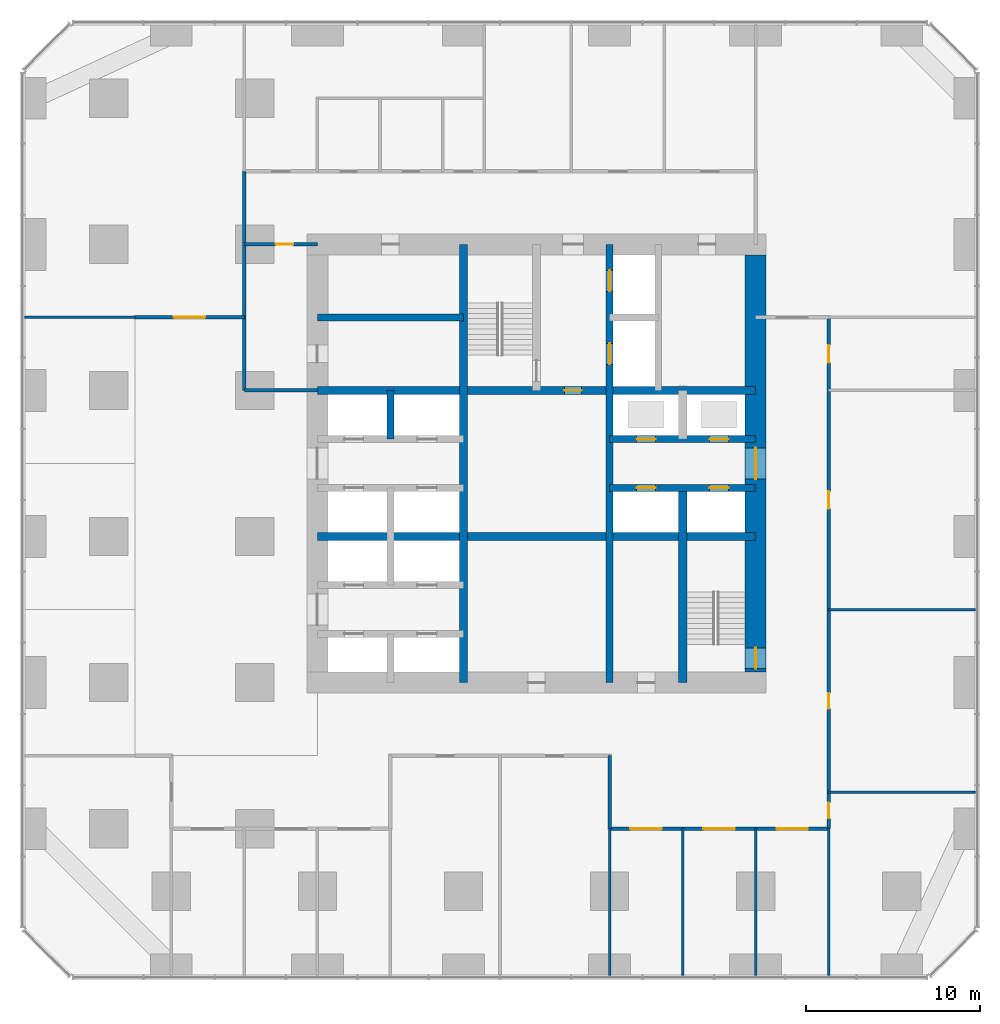
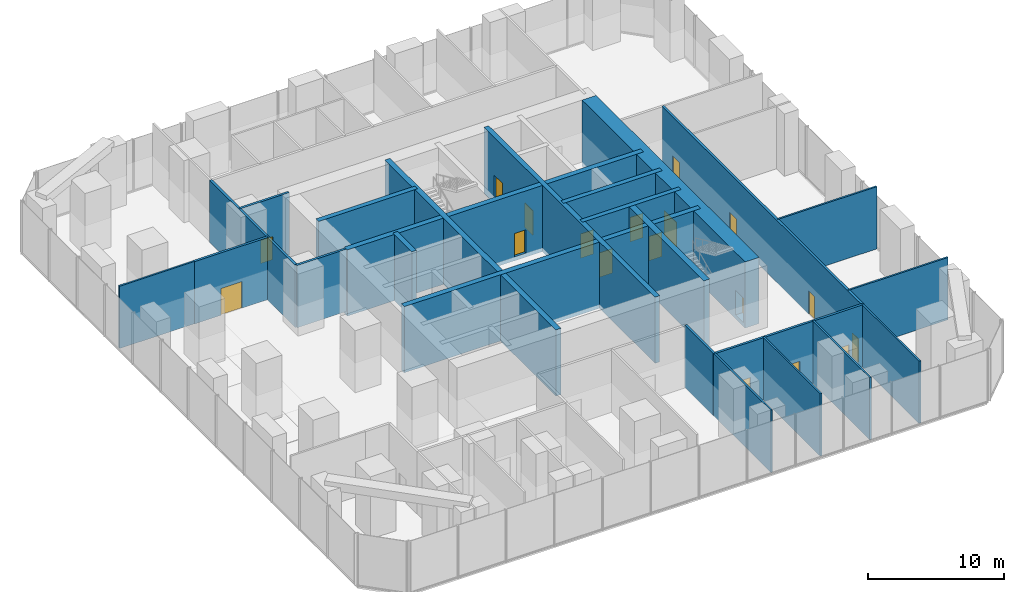
# One storey, part 8 of 13: 24 walls, 18 doors, 18 openings.
"""IFC4 building model written with IfcOpenShell, lengths in metres."""

from ifc_helpers import new_model, si_unit, direction, frame, frame_2d, origin, place, context, subcontext, project, spatial, rectangle, extrude, material, layer, layer_set, type_object, element, fill, save


model = new_model("IFC4")

# Units and contexts
model_context = context("Model", 3, precision=1e-05, world=origin(), true_north=direction((0.0, 1.0)))
body_context = subcontext(model_context, "Body", "Model", "MODEL_VIEW")
ifc_project = project(units=[si_unit("LENGTHUNIT", "METRE"), si_unit("AREAUNIT", "SQUARE_METRE"), si_unit("VOLUMEUNIT", "CUBIC_METRE"), si_unit("PLANEANGLEUNIT", "RADIAN"), si_unit("MASSUNIT", "GRAM", prefix="KILO")], contexts=[model_context])

# Site, building, storey
site_placement = place(None, origin())
site = spatial("IfcSite", under=ifc_project, at=site_placement, CompositionType="ELEMENT")
building_placement = place(site_placement, origin())
building = spatial("IfcBuilding", under=site, at=building_placement, Name="Dunama Terrace Hotel", CompositionType="ELEMENT")
storey_placement = place(building_placement, frame((0.0, 0.0, 147.60009765625)))
storey = spatial("IfcBuildingStorey", under=building, at=storey_placement, Name="L38", CompositionType="ELEMENT", Elevation=147.60009765625)

# Wall
ifc_material_1 = material(Name="Concrete C50/60", Category="concrete")
ifc_layer_1 = layer(ifc_material_1, 0.39990234375)
ifc_layer_set_1 = layer_set([ifc_layer_1], Name="Core inner wall 400")
wall_type_1 = type_object("IfcWallType", Name="Core inner wall 400", PredefinedType="SHEAR", material=ifc_layer_set_1)
wall_1_placement = place(storey_placement, frame((21.0, 30.800048828125, -0.35009765625), z_axis=(0.0, 0.0, 1.0), x_axis=(0.0, 1.0, 0.0)))
element("IfcWall", 1, at=wall_1_placement, inside=storey, type_object=wall_type_1, Name="Core inner wall 400 L38", PredefinedType="SHEAR", context=body_context, shape_type="SweptSolid", body=[
    extrude(rectangle(XDim=2.800048828125, YDim=0.39990234375, at=frame_2d((1.39990234375, 0.0))), origin(), (0.0, 0.0, 1.0), 5.949951171875),
])

# Wall, openings, doors
wall_2_placement = place(storey_placement, frame((33.60009765625, 16.800048828125, -0.35009765625), z_axis=(0.0, 0.0, 1.0), x_axis=(0.0, 1.0, 0.0)))
wall_2 = element("IfcWall", 2, at=wall_2_placement, inside=storey, type_object=wall_type_1, Name="Core inner wall 400 L38", PredefinedType="SHEAR", context=body_context, shape_type="SweptSolid", body=[
    extrude(rectangle(XDim=25.199951171875, YDim=0.39990234375, at=frame_2d((12.60009765625, 0.0))), origin(), (0.0, 0.0, 1.0), 5.949951171875),
])
opening_1_placement = place(wall_2_placement, frame((22.5, 0.0, 0.35009765625)))
opening_1 = element("IfcOpeningElement", 3, at=opening_1_placement, cuts=wall_2, Name="Opening L38-015", PredefinedType="OPENING", context=body_context, shape_type="SweptSolid", body=[
    extrude(rectangle(XDim=1.199951171875, YDim=2.199951171875, at=frame_2d((0.60009765625, 1.10009765625))), frame((0.0, 0.2099609375, 0.0), z_axis=(0.0, -1.0, 0.0), x_axis=(1.0, 0.0, 0.0)), (0.0, 0.0, 1.0), 0.419921875),
])
opening_2_placement = place(wall_2_placement, frame((18.300048828125, 0.0, 0.35009765625)))
opening_2 = element("IfcOpeningElement", 4, at=opening_2_placement, cuts=wall_2, Name="Opening L38-016", PredefinedType="OPENING", context=body_context, shape_type="SweptSolid", body=[
    extrude(rectangle(XDim=1.199951171875, YDim=2.199951171875, at=frame_2d((0.60009765625, 1.10009765625))), frame((0.0, 0.2099609375, 0.0), z_axis=(0.0, -1.0, 0.0), x_axis=(1.0, 0.0, 0.0)), (0.0, 0.0, 1.0), 0.419921875),
])
ifc_material_2 = material(Name="Stainless steel lift door", Category="steel")
door_type_1 = type_object("IfcDoorType", Name="Firefighting lift landing door 1200", OperationType="DOUBLE_DOOR_SLIDING", PredefinedType="DOOR", material=ifc_material_2)
door_1_placement = place(opening_1_placement, origin())
door_1 = element("IfcDoor", 5, at=door_1_placement, inside=storey, type_object=door_type_1, Name="Landing door FL1 L38-015, type LD2", OperationType="DOUBLE_DOOR_SLIDING", OverallHeight=2.199951171875, OverallWidth=1.199951171875, PredefinedType="DOOR", context=body_context, shape_type="SweptSolid", body=[
    extrude(rectangle(XDim=1.199951171875, YDim=2.199951171875, at=frame_2d((0.60009765625, 1.10009765625))), frame((0.0, 0.02490234375, 0.0), z_axis=(0.0, -1.0, 0.0), x_axis=(1.0, 0.0, 0.0)), (0.0, 0.0, 1.0), 0.050048828125),
])
fill(opening_1, door_1)
door_2_placement = place(opening_2_placement, origin())
door_2 = element("IfcDoor", 6, at=door_2_placement, inside=storey, type_object=door_type_1, Name="Landing door FL2 L38-016, type LD2", OperationType="DOUBLE_DOOR_SLIDING", OverallHeight=2.199951171875, OverallWidth=1.199951171875, PredefinedType="DOOR", context=body_context, shape_type="SweptSolid", body=[
    extrude(rectangle(XDim=1.199951171875, YDim=2.199951171875, at=frame_2d((0.60009765625, 1.10009765625))), frame((0.0, 0.02490234375, 0.0), z_axis=(0.0, -1.0, 0.0), x_axis=(1.0, 0.0, 0.0)), (0.0, 0.0, 1.0), 0.050048828125),
])
fill(opening_2, door_2)

wall_3_placement = place(storey_placement, frame((33.60009765625, 28.0, -0.35009765625), z_axis=(0.0, 0.0, 1.0), x_axis=(1.0, 0.0, 0.0)))
wall_3 = element("IfcWall", 7, at=wall_3_placement, inside=storey, type_object=wall_type_1, Name="Core inner wall 400 L38", PredefinedType="SHEAR", context=body_context, shape_type="SweptSolid", body=[
    extrude(rectangle(XDim=8.39990234375, YDim=0.39990234375, at=frame_2d((4.199951171875, 0.0))), origin(), (0.0, 0.0, 1.0), 5.949951171875),
])
opening_3_placement = place(wall_3_placement, frame((1.550048828125, 0.0, 0.35009765625)))
opening_3 = element("IfcOpeningElement", 8, at=opening_3_placement, cuts=wall_3, Name="Opening L38-003", PredefinedType="OPENING", context=body_context, shape_type="SweptSolid", body=[
    extrude(rectangle(XDim=1.10009765625, YDim=2.199951171875, at=frame_2d((0.550048828125, 1.10009765625))), frame((0.0, 0.2099609375, 0.0), z_axis=(0.0, -1.0, 0.0), x_axis=(1.0, 0.0, 0.0)), (0.0, 0.0, 1.0), 0.419921875),
])
opening_4_placement = place(wall_3_placement, frame((5.75, 0.0, 0.35009765625)))
opening_4 = element("IfcOpeningElement", 9, at=opening_4_placement, cuts=wall_3, Name="Opening L38-004", PredefinedType="OPENING", context=body_context, shape_type="SweptSolid", body=[
    extrude(rectangle(XDim=1.10009765625, YDim=2.199951171875, at=frame_2d((0.550048828125, 1.10009765625))), frame((0.0, 0.2099609375, 0.0), z_axis=(0.0, -1.0, 0.0), x_axis=(1.0, 0.0, 0.0)), (0.0, 0.0, 1.0), 0.419921875),
])
ifc_material_3 = material(Name="Stainless steel lift door", Category="steel")
door_type_2 = type_object("IfcDoorType", Name="Lift landing door 1100", OperationType="DOUBLE_DOOR_SLIDING", PredefinedType="DOOR", material=ifc_material_3)
door_3_placement = place(opening_3_placement, origin())
door_3 = element("IfcDoor", 10, at=door_3_placement, inside=storey, type_object=door_type_2, Name="Landing door PB1 L38-003, type LD1", OperationType="DOUBLE_DOOR_SLIDING", OverallHeight=2.199951171875, OverallWidth=1.10009765625, PredefinedType="DOOR", context=body_context, shape_type="SweptSolid", body=[
    extrude(rectangle(XDim=1.10009765625, YDim=2.199951171875, at=frame_2d((0.550048828125, 1.10009765625))), frame((0.0, 0.02490234375, 0.0), z_axis=(0.0, -1.0, 0.0), x_axis=(1.0, 0.0, 0.0)), (0.0, 0.0, 1.0), 0.050048828125),
])
fill(opening_3, door_3)
door_4_placement = place(opening_4_placement, origin())
door_4 = element("IfcDoor", 11, at=door_4_placement, inside=storey, type_object=door_type_2, Name="Landing door PB2 L38-004, type LD1", OperationType="DOUBLE_DOOR_SLIDING", OverallHeight=2.199951171875, OverallWidth=1.10009765625, PredefinedType="DOOR", context=body_context, shape_type="SweptSolid", body=[
    extrude(rectangle(XDim=1.10009765625, YDim=2.199951171875, at=frame_2d((0.550048828125, 1.10009765625))), frame((0.0, 0.02490234375, 0.0), z_axis=(0.0, -1.0, 0.0), x_axis=(1.0, 0.0, 0.0)), (0.0, 0.0, 1.0), 0.050048828125),
])
fill(opening_4, door_4)

wall_4_placement = place(storey_placement, frame((33.60009765625, 30.800048828125, -0.35009765625), z_axis=(0.0, 0.0, 1.0), x_axis=(1.0, 0.0, 0.0)))
wall_4 = element("IfcWall", 12, at=wall_4_placement, inside=storey, type_object=wall_type_1, Name="Core inner wall 400 L38", PredefinedType="SHEAR", context=body_context, shape_type="SweptSolid", body=[
    extrude(rectangle(XDim=8.39990234375, YDim=0.39990234375, at=frame_2d((4.199951171875, 0.0))), origin(), (0.0, 0.0, 1.0), 5.949951171875),
])
opening_5_placement = place(wall_4_placement, frame((1.550048828125, 0.0, 0.35009765625)))
opening_5 = element("IfcOpeningElement", 13, at=opening_5_placement, cuts=wall_4, Name="Opening L38-013", PredefinedType="OPENING", context=body_context, shape_type="SweptSolid", body=[
    extrude(rectangle(XDim=1.10009765625, YDim=2.199951171875, at=frame_2d((0.550048828125, 1.10009765625))), frame((0.0, 0.2099609375, 0.0), z_axis=(0.0, -1.0, 0.0), x_axis=(1.0, 0.0, 0.0)), (0.0, 0.0, 1.0), 0.419921875),
])
opening_6_placement = place(wall_4_placement, frame((5.75, 0.0, 0.35009765625)))
opening_6 = element("IfcOpeningElement", 14, at=opening_6_placement, cuts=wall_4, Name="Opening L38-014", PredefinedType="OPENING", context=body_context, shape_type="SweptSolid", body=[
    extrude(rectangle(XDim=1.10009765625, YDim=2.199951171875, at=frame_2d((0.550048828125, 1.10009765625))), frame((0.0, 0.2099609375, 0.0), z_axis=(0.0, -1.0, 0.0), x_axis=(1.0, 0.0, 0.0)), (0.0, 0.0, 1.0), 0.419921875),
])
door_5_placement = place(opening_5_placement, origin())
door_5 = element("IfcDoor", 15, at=door_5_placement, inside=storey, type_object=door_type_2, Name="Landing door PD1 L38-013, type LD1", OperationType="DOUBLE_DOOR_SLIDING", OverallHeight=2.199951171875, OverallWidth=1.10009765625, PredefinedType="DOOR", context=body_context, shape_type="SweptSolid", body=[
    extrude(rectangle(XDim=1.10009765625, YDim=2.199951171875, at=frame_2d((0.550048828125, 1.10009765625))), frame((0.0, 0.02490234375, 0.0), z_axis=(0.0, -1.0, 0.0), x_axis=(1.0, 0.0, 0.0)), (0.0, 0.0, 1.0), 0.050048828125),
])
fill(opening_5, door_5)
door_6_placement = place(opening_6_placement, origin())
door_6 = element("IfcDoor", 16, at=door_6_placement, inside=storey, type_object=door_type_2, Name="Landing door PD2 L38-014, type LD1", OperationType="DOUBLE_DOOR_SLIDING", OverallHeight=2.199951171875, OverallWidth=1.10009765625, PredefinedType="DOOR", context=body_context, shape_type="SweptSolid", body=[
    extrude(rectangle(XDim=1.10009765625, YDim=2.199951171875, at=frame_2d((0.550048828125, 1.10009765625))), frame((0.0, 0.02490234375, 0.0), z_axis=(0.0, -1.0, 0.0), x_axis=(1.0, 0.0, 0.0)), (0.0, 0.0, 1.0), 0.050048828125),
])
fill(opening_6, door_6)

# Walls
wall_5_placement = place(storey_placement, frame((16.800048828125, 37.800048828125, -0.35009765625), z_axis=(0.0, 0.0, 1.0), x_axis=(1.0, 0.0, 0.0)))
element("IfcWall", 17, at=wall_5_placement, inside=storey, type_object=wall_type_1, Name="Core inner wall 400 L38", PredefinedType="SHEAR", context=body_context, shape_type="SweptSolid", body=[
    extrude(rectangle(XDim=8.39990234375, YDim=0.39990234375, at=frame_2d((4.199951171875, 0.0))), origin(), (0.0, 0.0, 1.0), 5.949951171875),
])
ifc_material_4 = material(Name="Concrete C50/60", Category="concrete")
ifc_layer_2 = layer(ifc_material_4, 0.449951171875)
ifc_layer_set_2 = layer_set([ifc_layer_2], Name="Core inner wall 450")
wall_type_2 = type_object("IfcWallType", Name="Core inner wall 450", PredefinedType="SHEAR", material=ifc_layer_set_2)
for number, where, z_axis, x_axis, name in (
    (18, (25.199951171875, 16.800048828125, -0.35009765625), (0.0, 0.0, 1.0), (0.0, 1.0, 0.0), "Core inner wall 450 L38"),
    (19, (16.800048828125, 25.199951171875, -0.35009765625), (0.0, 0.0, 1.0), (1.0, 0.0, 0.0), "Core inner wall 450 L38"),
):
    element("IfcWall", number, at=place(storey_placement, frame(where, z_axis=z_axis, x_axis=x_axis)), inside=storey, type_object=wall_type_2, Name=name, PredefinedType="SHEAR", context=body_context, shape_type="SweptSolid", body=[
        extrude(rectangle(XDim=25.199951171875, YDim=0.449951171875, at=frame_2d((12.60009765625, 0.0))), origin(), (0.0, 0.0, 1.0), 5.949951171875),
    ])

# Wall, opening, door
wall_6_placement = place(storey_placement, frame((16.800048828125, 33.60009765625, -0.35009765625), z_axis=(0.0, 0.0, 1.0), x_axis=(1.0, 0.0, 0.0)))
wall_6 = element("IfcWall", 20, at=wall_6_placement, inside=storey, type_object=wall_type_2, Name="Core inner wall 450 L38", PredefinedType="SHEAR", context=body_context, shape_type="SweptSolid", body=[
    extrude(rectangle(XDim=25.199951171875, YDim=0.449951171875, at=frame_2d((12.60009765625, 0.0))), origin(), (0.0, 0.0, 1.0), 5.949951171875),
])
opening_7_placement = place(wall_6_placement, frame((14.199951171875, 0.0, 0.35009765625)))
opening_7 = element("IfcOpeningElement", 21, at=opening_7_placement, cuts=wall_6, Name="Opening L38-021", PredefinedType="OPENING", context=body_context, shape_type="SweptSolid", body=[
    extrude(rectangle(XDim=1.0, YDim=2.10009765625, at=frame_2d((0.5, 1.050048828125))), frame((0.0, 0.23486328125, 0.0), z_axis=(0.0, -1.0, 0.0), x_axis=(1.0, 0.0, 0.0)), (0.0, 0.0, 1.0), 0.469970703125),
])
ifc_material_5 = material(Name="Timber door with steel frame", Category="steel")
door_type_3 = type_object("IfcDoorType", Name="Service door 1000", OperationType="SINGLE_SWING_LEFT", PredefinedType="DOOR", material=ifc_material_5)
door_7_placement = place(opening_7_placement, frame((1.0, 0.0, 0.0), z_axis=(0.0, 0.0, 1.0), x_axis=(-1.0, 0.0, 0.0)))
door_7 = element("IfcDoor", 22, at=door_7_placement, inside=storey, type_object=door_type_3, Name="Door to spa linen store L38-021, type D7", OperationType="SINGLE_SWING_RIGHT", OverallHeight=2.10009765625, OverallWidth=1.0, PredefinedType="DOOR", context=body_context, shape_type="SweptSolid", body=[
    extrude(rectangle(XDim=1.0, YDim=2.10009765625, at=frame_2d((0.5, 1.050048828125))), frame((0.0, 0.025146484375, 0.0), z_axis=(0.0, -1.0, 0.0), x_axis=(1.0, 0.0, 0.0)), (0.0, 0.0, 1.0), 0.050048828125),
])
fill(opening_7, door_7)

# Wall
ifc_material_6 = material(Name="Concrete C50/60", Category="concrete")
ifc_layer_3 = layer(ifc_material_6, 0.5)
ifc_layer_set_3 = layer_set([ifc_layer_3], Name="Core inner wall 500")
wall_type_3 = type_object("IfcWallType", Name="Core inner wall 500", PredefinedType="SHEAR", material=ifc_layer_set_3)
wall_7_placement = place(storey_placement, frame((37.800048828125, 16.800048828125, -0.35009765625), z_axis=(0.0, 0.0, 1.0), x_axis=(0.0, 1.0, 0.0)))
element("IfcWall", 23, at=wall_7_placement, inside=storey, type_object=wall_type_3, Name="Core inner wall 500 L38", PredefinedType="SHEAR", context=body_context, shape_type="SweptSolid", body=[
    extrude(rectangle(XDim=11.199951171875, YDim=0.5, at=frame_2d((5.60009765625, 0.0))), origin(), (0.0, 0.0, 1.0), 5.949951171875),
])

# Wall, openings, doors
ifc_material_7 = material(Name="Concrete C60/75", Category="concrete")
ifc_layer_4 = layer(ifc_material_7, 1.199951171875)
ifc_layer_set_4 = layer_set([ifc_layer_4], Name="Core wall 1200")
wall_type_4 = type_object("IfcWallType", Name="Core wall 1200", PredefinedType="SHEAR", material=ifc_layer_set_4)
wall_8_placement = place(storey_placement, frame((42.0, 17.39990234375, -0.35009765625), z_axis=(0.0, 0.0, 1.0), x_axis=(0.0, 1.0, 0.0)))
wall_8 = element("IfcWall", 24, at=wall_8_placement, inside=storey, type_object=wall_type_4, Name="Core wall east L38", PredefinedType="SHEAR", context=body_context, shape_type="SweptSolid", body=[
    extrude(rectangle(XDim=24.0, YDim=1.199951171875, at=frame_2d((12.0, 0.0))), origin(), (0.0, 0.0, 1.0), 5.949951171875),
])
opening_8_placement = place(wall_8_placement, frame((0.199951171875, 0.0, 0.35009765625)))
opening_8 = element("IfcOpeningElement", 25, at=opening_8_placement, cuts=wall_8, Name="Opening L38-002", PredefinedType="OPENING", context=body_context, shape_type="SweptSolid", body=[
    extrude(rectangle(XDim=1.199951171875, YDim=2.199951171875, at=frame_2d((0.60009765625, 1.10009765625))), frame((0.0, 0.60986328125, 0.0), z_axis=(0.0, -1.0, 0.0), x_axis=(1.0, 0.0, 0.0)), (0.0, 0.0, 1.0), 1.219970703125),
])
opening_9_placement = place(wall_8_placement, frame((11.10009765625, 0.0, 0.35009765625)))
opening_9 = element("IfcOpeningElement", 26, at=opening_9_placement, cuts=wall_8, Name="Opening L38-022", PredefinedType="OPENING", context=body_context, shape_type="SweptSolid", body=[
    extrude(rectangle(XDim=1.800048828125, YDim=2.199951171875, at=frame_2d((0.89990234375, 1.10009765625))), frame((0.0, 0.60986328125, 0.0), z_axis=(0.0, -1.0, 0.0), x_axis=(1.0, 0.0, 0.0)), (0.0, 0.0, 1.0), 1.219970703125),
])
ifc_material_8 = material(Name="Timber door with steel frame", Category="steel")
door_type_4 = type_object("IfcDoorType", Name="Lift lobby double door 1800", OperationType="DOUBLE_DOOR_DOUBLE_SWING", PredefinedType="DOOR", material=ifc_material_8)
door_8_placement = place(opening_9_placement, origin())
door_8 = element("IfcDoor", 27, at=door_8_placement, inside=storey, type_object=door_type_4, Name="Door to lift lobby L38-022, type D3", OperationType="DOUBLE_DOOR_DOUBLE_SWING", OverallHeight=2.199951171875, OverallWidth=1.800048828125, PredefinedType="DOOR", context=body_context, shape_type="SweptSolid", body=[
    extrude(rectangle(XDim=1.800048828125, YDim=2.199951171875, at=frame_2d((0.89990234375, 1.10009765625))), frame((0.0, 0.02490234375, 0.0), z_axis=(0.0, -1.0, 0.0), x_axis=(1.0, 0.0, 0.0)), (0.0, 0.0, 1.0), 0.050048828125),
])
fill(opening_9, door_8)
ifc_material_9 = material(Name="Timber door with steel frame", Category="steel")
door_type_5 = type_object("IfcDoorType", Name="Stair door 1200", OperationType="SINGLE_SWING_LEFT", PredefinedType="DOOR", material=ifc_material_9)
door_9_placement = place(opening_8_placement, origin())
door_9 = element("IfcDoor", 28, at=door_9_placement, inside=storey, type_object=door_type_5, Name="Stair door ST2 L38-002, type D5", OperationType="SINGLE_SWING_LEFT", OverallHeight=2.199951171875, OverallWidth=1.199951171875, PredefinedType="DOOR", context=body_context, shape_type="SweptSolid", body=[
    extrude(rectangle(XDim=1.199951171875, YDim=2.199951171875, at=frame_2d((0.60009765625, 1.10009765625))), frame((0.0, 0.02490234375, 0.0), z_axis=(0.0, -1.0, 0.0), x_axis=(1.0, 0.0, 0.0)), (0.0, 0.0, 1.0), 0.050048828125),
])
fill(opening_8, door_9)

# Walls
ifc_material_10 = material(Name="Concrete blockwork", Category="masonry")
ifc_layer_5 = layer(ifc_material_10, 0.199951171875)
ifc_layer_set_5 = layer_set([ifc_layer_5], Name="Corridor partition 200")
wall_type_5 = type_object("IfcWallType", Name="Corridor partition 200", PredefinedType="PARTITIONING", material=ifc_layer_set_5)
wall_9_placement = place(storey_placement, frame((12.60009765625, 33.60009765625, 0.0), z_axis=(0.0, 0.0, 1.0), x_axis=(0.0, 1.0, 0.0)))
element("IfcWall", 29, at=wall_9_placement, inside=storey, type_object=wall_type_5, Name="Corridor partition 200 L38", PredefinedType="PARTITIONING", context=body_context, shape_type="SweptSolid", body=[
    extrude(rectangle(XDim=12.599853515625, YDim=0.199951171875, at=frame_2d((6.2998046875, 0.0))), origin(), (0.0, 0.0, 1.0), 5.599853515625),
])
wall_10_placement = place(storey_placement, frame((33.60009765625, 8.39990234375, 0.0), z_axis=(0.0, 0.0, 1.0), x_axis=(0.0, 1.0, 0.0)))
element("IfcWall", 30, at=wall_10_placement, inside=storey, type_object=wall_type_5, Name="Corridor partition 200 L38", PredefinedType="PARTITIONING", context=body_context, shape_type="SweptSolid", body=[
    extrude(rectangle(XDim=4.2001953125, YDim=0.199951171875, at=frame_2d((2.10009765625, 0.0))), origin(), (0.0, 0.0, 1.0), 5.599853515625),
])

# Wall, openings, doors
wall_11_placement = place(storey_placement, frame((46.199951171875, 8.39990234375, 0.0), z_axis=(0.0, 0.0, 1.0), x_axis=(0.0, 1.0, 0.0)))
wall_11 = element("IfcWall", 31, at=wall_11_placement, inside=storey, type_object=wall_type_5, Name="Corridor partition 200 L38", PredefinedType="PARTITIONING", context=body_context, shape_type="SweptSolid", body=[
    extrude(rectangle(XDim=29.400146484375, YDim=0.199951171875, at=frame_2d((14.7001953125, 0.0))), origin(), (0.0, 0.0, 1.0), 5.599853515625),
])
opening_10_placement = place(wall_11_placement, frame((0.60009765625, 0.0, 0.0)))
opening_10 = element("IfcOpeningElement", 32, at=opening_10_placement, cuts=wall_11, Name="Opening L38-037", PredefinedType="OPENING", context=body_context, shape_type="SweptSolid", body=[
    extrude(rectangle(XDim=0.89990234375, YDim=2.10009765625, at=frame_2d((0.449951171875, 1.050048828125))), frame((0.0, 0.10986328125, 0.0), z_axis=(0.0, -1.0, 0.0), x_axis=(1.0, 0.0, 0.0)), (0.0, 0.0, 1.0), 0.219970703125),
])
opening_11_placement = place(wall_11_placement, frame((6.89990234375, 0.0, 0.0)))
opening_11 = element("IfcOpeningElement", 33, at=opening_11_placement, cuts=wall_11, Name="Opening L38-038", PredefinedType="OPENING", context=body_context, shape_type="SweptSolid", body=[
    extrude(rectangle(XDim=0.89990234375, YDim=2.10009765625, at=frame_2d((0.449951171875, 1.050048828125))), frame((0.0, 0.10986328125, 0.0), z_axis=(0.0, -1.0, 0.0), x_axis=(1.0, 0.0, 0.0)), (0.0, 0.0, 1.0), 0.219970703125),
])
opening_12_placement = place(wall_11_placement, frame((18.39990234375, 0.0, 0.0)))
opening_12 = element("IfcOpeningElement", 34, at=opening_12_placement, cuts=wall_11, Name="Opening L38-039", PredefinedType="OPENING", context=body_context, shape_type="SweptSolid", body=[
    extrude(rectangle(XDim=1.0, YDim=2.10009765625, at=frame_2d((0.5, 1.050048828125))), frame((0.0, 0.10986328125, 0.0), z_axis=(0.0, -1.0, 0.0), x_axis=(1.0, 0.0, 0.0)), (0.0, 0.0, 1.0), 0.219970703125),
])
opening_13_placement = place(wall_11_placement, frame((26.800048828125, 0.0, 0.0)))
opening_13 = element("IfcOpeningElement", 35, at=opening_13_placement, cuts=wall_11, Name="Opening L38-040", PredefinedType="OPENING", context=body_context, shape_type="SweptSolid", body=[
    extrude(rectangle(XDim=1.0, YDim=2.10009765625, at=frame_2d((0.5, 1.050048828125))), frame((0.0, 0.10986328125, 0.0), z_axis=(0.0, -1.0, 0.0), x_axis=(1.0, 0.0, 0.0)), (0.0, 0.0, 1.0), 0.219970703125),
])
door_10_placement = place(opening_12_placement, frame((1.0, 0.0, 0.0), z_axis=(0.0, 0.0, 1.0), x_axis=(-1.0, 0.0, 0.0)))
door_10 = element("IfcDoor", 36, at=door_10_placement, inside=storey, type_object=door_type_3, Name="Door to satellite kitchen L38-039, type D7", OperationType="SINGLE_SWING_RIGHT", OverallHeight=2.10009765625, OverallWidth=1.0, PredefinedType="DOOR", context=body_context, shape_type="SweptSolid", body=[
    extrude(rectangle(XDim=1.0, YDim=2.10009765625, at=frame_2d((0.5, 1.050048828125))), frame((0.0, 0.025146484375, 0.0), z_axis=(0.0, -1.0, 0.0), x_axis=(1.0, 0.0, 0.0)), (0.0, 0.0, 1.0), 0.050048828125),
])
fill(opening_12, door_10)
door_11_placement = place(opening_13_placement, frame((1.0, 0.0, 0.0), z_axis=(0.0, 0.0, 1.0), x_axis=(-1.0, 0.0, 0.0)))
door_11 = element("IfcDoor", 37, at=door_11_placement, inside=storey, type_object=door_type_3, Name="Door to sky restaurant pantry kitchen L38-040, type D7", OperationType="SINGLE_SWING_LEFT", OverallHeight=2.10009765625, OverallWidth=1.0, PredefinedType="DOOR", context=body_context, shape_type="SweptSolid", body=[
    extrude(rectangle(XDim=1.0, YDim=2.10009765625, at=frame_2d((0.5, 1.050048828125))), frame((0.0, 0.025146484375, 0.0), z_axis=(0.0, -1.0, 0.0), x_axis=(1.0, 0.0, 0.0)), (0.0, 0.0, 1.0), 0.050048828125),
])
fill(opening_13, door_11)
ifc_material_11 = material(Name="Timber door with steel frame", Category="steel")
door_type_6 = type_object("IfcDoorType", Name="WC door 900", OperationType="SINGLE_SWING_LEFT", PredefinedType="DOOR", material=ifc_material_11)
door_12_placement = place(opening_10_placement, frame((0.89990234375, 0.0, 0.0), z_axis=(0.0, 0.0, 1.0), x_axis=(-1.0, 0.0, 0.0)))
door_12 = element("IfcDoor", 38, at=door_12_placement, inside=storey, type_object=door_type_6, Name="Door to spa changing room male L38-037, type D6", OperationType="SINGLE_SWING_RIGHT", OverallHeight=2.10009765625, OverallWidth=0.89990234375, PredefinedType="DOOR", context=body_context, shape_type="SweptSolid", body=[
    extrude(rectangle(XDim=0.89990234375, YDim=2.10009765625, at=frame_2d((0.449951171875, 1.050048828125))), frame((0.0, 0.025146484375, 0.0), z_axis=(0.0, -1.0, 0.0), x_axis=(1.0, 0.0, 0.0)), (0.0, 0.0, 1.0), 0.050048828125),
])
fill(opening_10, door_12)
door_13_placement = place(opening_11_placement, frame((0.89990234375, 0.0, 0.0), z_axis=(0.0, 0.0, 1.0), x_axis=(-1.0, 0.0, 0.0)))
door_13 = element("IfcDoor", 39, at=door_13_placement, inside=storey, type_object=door_type_6, Name="Door to spa changing room female L38-038, type D6", OperationType="SINGLE_SWING_LEFT", OverallHeight=2.10009765625, OverallWidth=0.89990234375, PredefinedType="DOOR", context=body_context, shape_type="SweptSolid", body=[
    extrude(rectangle(XDim=0.89990234375, YDim=2.10009765625, at=frame_2d((0.449951171875, 1.050048828125))), frame((0.0, 0.025146484375, 0.0), z_axis=(0.0, -1.0, 0.0), x_axis=(1.0, 0.0, 0.0)), (0.0, 0.0, 1.0), 0.050048828125),
])
fill(opening_11, door_13)

wall_12_placement = place(storey_placement, frame((33.60009765625, 8.39990234375, 0.0), z_axis=(0.0, 0.0, 1.0), x_axis=(1.0, 0.0, 0.0)))
wall_12 = element("IfcWall", 40, at=wall_12_placement, inside=storey, type_object=wall_type_5, Name="Corridor partition 200 L38", PredefinedType="PARTITIONING", context=body_context, shape_type="SweptSolid", body=[
    extrude(rectangle(XDim=12.599853515625, YDim=0.199951171875, at=frame_2d((6.2998046875, 0.0))), origin(), (0.0, 0.0, 1.0), 5.599853515625),
])
opening_14_placement = place(wall_12_placement, frame((1.199951171875, 0.0, 0.0)))
opening_14 = element("IfcOpeningElement", 41, at=opening_14_placement, cuts=wall_12, Name="Opening L38-032", PredefinedType="OPENING", context=body_context, shape_type="SweptSolid", body=[
    extrude(rectangle(XDim=1.800048828125, YDim=2.39990234375, at=frame_2d((0.89990234375, 1.199951171875))), frame((0.0, 0.10986328125, 0.0), z_axis=(0.0, -1.0, 0.0), x_axis=(1.0, 0.0, 0.0)), (0.0, 0.0, 1.0), 0.219970703125),
])
opening_15_placement = place(wall_12_placement, frame((5.39990234375, 0.0, 0.0)))
opening_15 = element("IfcOpeningElement", 42, at=opening_15_placement, cuts=wall_12, Name="Opening L38-033", PredefinedType="OPENING", context=body_context, shape_type="SweptSolid", body=[
    extrude(rectangle(XDim=1.800048828125, YDim=2.39990234375, at=frame_2d((0.89990234375, 1.199951171875))), frame((0.0, 0.10986328125, 0.0), z_axis=(0.0, -1.0, 0.0), x_axis=(1.0, 0.0, 0.0)), (0.0, 0.0, 1.0), 0.219970703125),
])
opening_16_placement = place(wall_12_placement, frame((9.60009765625, 0.0, 0.0)))
opening_16 = element("IfcOpeningElement", 43, at=opening_16_placement, cuts=wall_12, Name="Opening L38-034", PredefinedType="OPENING", context=body_context, shape_type="SweptSolid", body=[
    extrude(rectangle(XDim=1.800048828125, YDim=2.39990234375, at=frame_2d((0.89990234375, 1.199951171875))), frame((0.0, 0.10986328125, 0.0), z_axis=(0.0, -1.0, 0.0), x_axis=(1.0, 0.0, 0.0)), (0.0, 0.0, 1.0), 0.219970703125),
])
ifc_material_12 = material(Name="Aluminium-framed glazed door", Category="aluminium")
door_type_7 = type_object("IfcDoorType", Name="Glazed double door 1800", OperationType="DOUBLE_DOOR_DOUBLE_SWING", PredefinedType="DOOR", material=ifc_material_12)
door_14_placement = place(opening_14_placement, origin())
door_14 = element("IfcDoor", 44, at=door_14_placement, inside=storey, type_object=door_type_7, Name="Door to spa treatment room 4 L38-032, type D8", OperationType="DOUBLE_DOOR_DOUBLE_SWING", OverallHeight=2.39990234375, OverallWidth=1.800048828125, PredefinedType="DOOR", context=body_context, shape_type="SweptSolid", body=[
    extrude(rectangle(XDim=1.800048828125, YDim=2.39990234375, at=frame_2d((0.89990234375, 1.199951171875))), frame((0.0, 0.02490234375, 0.0), z_axis=(0.0, -1.0, 0.0), x_axis=(1.0, 0.0, 0.0)), (0.0, 0.0, 1.0), 0.050048828125),
])
fill(opening_14, door_14)
door_15_placement = place(opening_15_placement, origin())
door_15 = element("IfcDoor", 45, at=door_15_placement, inside=storey, type_object=door_type_7, Name="Door to spa treatment room 5 L38-033, type D8", OperationType="DOUBLE_DOOR_DOUBLE_SWING", OverallHeight=2.39990234375, OverallWidth=1.800048828125, PredefinedType="DOOR", context=body_context, shape_type="SweptSolid", body=[
    extrude(rectangle(XDim=1.800048828125, YDim=2.39990234375, at=frame_2d((0.89990234375, 1.199951171875))), frame((0.0, 0.02490234375, 0.0), z_axis=(0.0, -1.0, 0.0), x_axis=(1.0, 0.0, 0.0)), (0.0, 0.0, 1.0), 0.050048828125),
])
fill(opening_15, door_15)
door_16_placement = place(opening_16_placement, origin())
door_16 = element("IfcDoor", 46, at=door_16_placement, inside=storey, type_object=door_type_7, Name="Door to spa treatment room 6 L38-034, type D8", OperationType="DOUBLE_DOOR_DOUBLE_SWING", OverallHeight=2.39990234375, OverallWidth=1.800048828125, PredefinedType="DOOR", context=body_context, shape_type="SweptSolid", body=[
    extrude(rectangle(XDim=1.800048828125, YDim=2.39990234375, at=frame_2d((0.89990234375, 1.199951171875))), frame((0.0, 0.02490234375, 0.0), z_axis=(0.0, -1.0, 0.0), x_axis=(1.0, 0.0, 0.0)), (0.0, 0.0, 1.0), 0.050048828125),
])
fill(opening_16, door_16)

# Wall
wall_13_placement = place(storey_placement, frame((12.60009765625, 33.60009765625, 0.0), z_axis=(0.0, 0.0, 1.0), x_axis=(1.0, 0.0, 0.0)))
element("IfcWall", 47, at=wall_13_placement, inside=storey, type_object=wall_type_5, Name="Corridor partition 200 L38", PredefinedType="PARTITIONING", context=body_context, shape_type="SweptSolid", body=[
    extrude(rectangle(XDim=4.199951171875, YDim=0.199951171875, at=frame_2d((2.10009765625, 0.0))), origin(), (0.0, 0.0, 1.0), 5.599853515625),
])

# Wall, opening, door
wall_14_placement = place(storey_placement, frame((6.300048828125, 37.800048828125, 0.0), z_axis=(0.0, 0.0, 1.0), x_axis=(1.0, 0.0, 0.0)))
wall_14 = element("IfcWall", 48, at=wall_14_placement, inside=storey, type_object=wall_type_5, Name="Corridor partition 200 L38", PredefinedType="PARTITIONING", context=body_context, shape_type="SweptSolid", body=[
    extrude(rectangle(XDim=6.300048828125, YDim=0.199951171875, at=frame_2d((3.14990234375, 0.0))), origin(), (0.0, 0.0, 1.0), 5.599853515625),
])
opening_17_placement = place(wall_14_placement, frame((2.25, 0.0, 0.0)))
opening_17 = element("IfcOpeningElement", 49, at=opening_17_placement, cuts=wall_14, Name="Opening L38-042", PredefinedType="OPENING", context=body_context, shape_type="SweptSolid", body=[
    extrude(rectangle(XDim=1.800048828125, YDim=2.39990234375, at=frame_2d((0.89990234375, 1.199951171875))), frame((0.0, 0.10986328125, 0.0), z_axis=(0.0, -1.0, 0.0), x_axis=(1.0, 0.0, 0.0)), (0.0, 0.0, 1.0), 0.219970703125),
])
door_17_placement = place(opening_17_placement, origin())
door_17 = element("IfcDoor", 50, at=door_17_placement, inside=storey, type_object=door_type_7, Name="Door to spa relaxation room L38-042, type D8", OperationType="DOUBLE_DOOR_DOUBLE_SWING", OverallHeight=2.39990234375, OverallWidth=1.800048828125, PredefinedType="DOOR", context=body_context, shape_type="SweptSolid", body=[
    extrude(rectangle(XDim=1.800048828125, YDim=2.39990234375, at=frame_2d((0.89990234375, 1.199951171875))), frame((0.0, 0.02490234375, 0.0), z_axis=(0.0, -1.0, 0.0), x_axis=(1.0, 0.0, 0.0)), (0.0, 0.0, 1.0), 0.050048828125),
])
fill(opening_17, door_17)

wall_15_placement = place(storey_placement, frame((12.60009765625, 42.0, 0.0), z_axis=(0.0, 0.0, 1.0), x_axis=(1.0, 0.0, 0.0)))
wall_15 = element("IfcWall", 51, at=wall_15_placement, inside=storey, type_object=wall_type_5, Name="Corridor partition 200 L38", PredefinedType="PARTITIONING", context=body_context, shape_type="SweptSolid", body=[
    extrude(rectangle(XDim=4.199951171875, YDim=0.199951171875, at=frame_2d((2.10009765625, 0.0))), origin(), (0.0, 0.0, 1.0), 5.599853515625),
])
opening_18_placement = place(wall_15_placement, frame((1.800048828125, 0.0, 0.0)))
opening_18 = element("IfcOpeningElement", 52, at=opening_18_placement, cuts=wall_15, Name="Opening L38-027", PredefinedType="OPENING", context=body_context, shape_type="SweptSolid", body=[
    extrude(rectangle(XDim=1.0, YDim=2.10009765625, at=frame_2d((0.5, 1.050048828125))), frame((0.0, 0.10986328125, 0.0), z_axis=(0.0, -1.0, 0.0), x_axis=(1.0, 0.0, 0.0)), (0.0, 0.0, 1.0), 0.219970703125),
])
door_18_placement = place(opening_18_placement, origin())
door_18 = element("IfcDoor", 53, at=door_18_placement, inside=storey, type_object=door_type_3, Name="Door to service lobby L38-027, type D7", OperationType="SINGLE_SWING_LEFT", OverallHeight=2.10009765625, OverallWidth=1.0, PredefinedType="DOOR", context=body_context, shape_type="SweptSolid", body=[
    extrude(rectangle(XDim=1.0, YDim=2.10009765625, at=frame_2d((0.5, 1.050048828125))), frame((0.0, 0.02490234375, 0.0), z_axis=(0.0, -1.0, 0.0), x_axis=(1.0, 0.0, 0.0)), (0.0, 0.0, 1.0), 0.050048828125),
])
fill(opening_18, door_18)

# Walls
ifc_material_13 = material(Name="Gypsum board partition", Category="masonry")
ifc_layer_6 = layer(ifc_material_13, 0.14990234375)
ifc_layer_set_6 = layer_set([ifc_layer_6], Name="Room partition 150")
wall_type_6 = type_object("IfcWallType", Name="Room partition 150", PredefinedType="PARTITIONING", material=ifc_layer_set_6)
for number, where, z_axis, x_axis, name in (
    (54, (33.60009765625, -0.0380859375, 0.0), (0.0, 0.0, 1.0), (0.0, 1.0, 0.0), "Room partition 150 L38"),
    (55, (37.800048828125, -0.0380859375, 0.0), (0.0, 0.0, 1.0), (0.0, 1.0, 0.0), "Room partition 150 L38"),
    (56, (42.0, -0.0380859375, 0.0), (0.0, 0.0, 1.0), (0.0, 1.0, 0.0), "Room partition 150 L38"),
    (57, (46.199951171875, -0.0380859375, 0.0), (0.0, 0.0, 1.0), (0.0, 1.0, 0.0), "Room partition 150 L38"),
    (58, (46.199951171875, 10.5, 0.0), (0.0, 0.0, 1.0), (1.0, 0.0, 0.0), "Room partition 150 L38"),
    (59, (46.199951171875, 21.0, 0.0), (0.0, 0.0, 1.0), (1.0, 0.0, 0.0), "Room partition 150 L38"),
):
    element("IfcWall", number, at=place(storey_placement, frame(where, z_axis=z_axis, x_axis=x_axis)), inside=storey, type_object=wall_type_6, Name=name, PredefinedType="PARTITIONING", context=body_context, shape_type="SweptSolid", body=[
        extrude(rectangle(XDim=8.43798828125, YDim=0.14990234375, at=frame_2d((4.218994140625, 0.0))), origin(), (0.0, 0.0, 1.0), 5.599853515625),
    ])
wall_16_placement = place(storey_placement, frame((-0.0380859375, 37.800048828125, 0.0), z_axis=(0.0, 0.0, 1.0), x_axis=(1.0, 0.0, 0.0)))
element("IfcWall", 60, at=wall_16_placement, inside=storey, type_object=wall_type_6, Name="Room partition 150 L38", PredefinedType="PARTITIONING", context=body_context, shape_type="SweptSolid", body=[
    extrude(rectangle(XDim=6.338134765625, YDim=0.14990234375, at=frame_2d((3.1689453125, 0.0))), origin(), (0.0, 0.0, 1.0), 5.599853515625),
])

save(model, "model.ifc")
